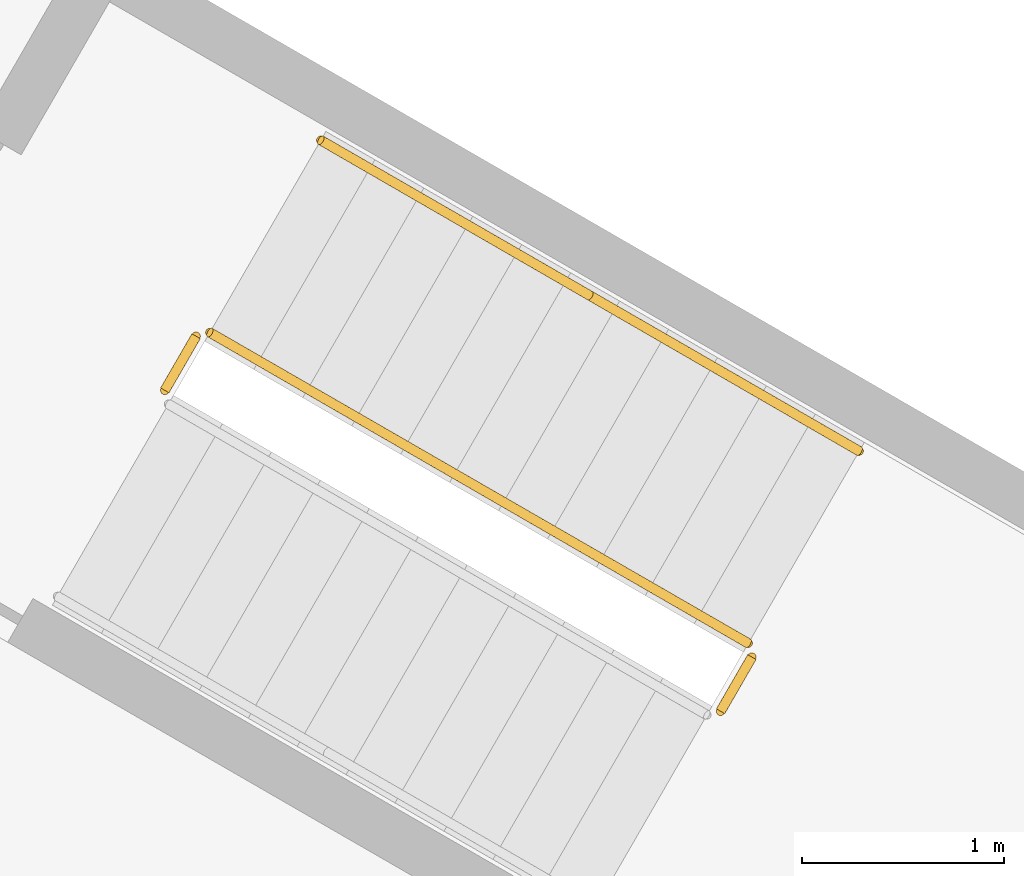
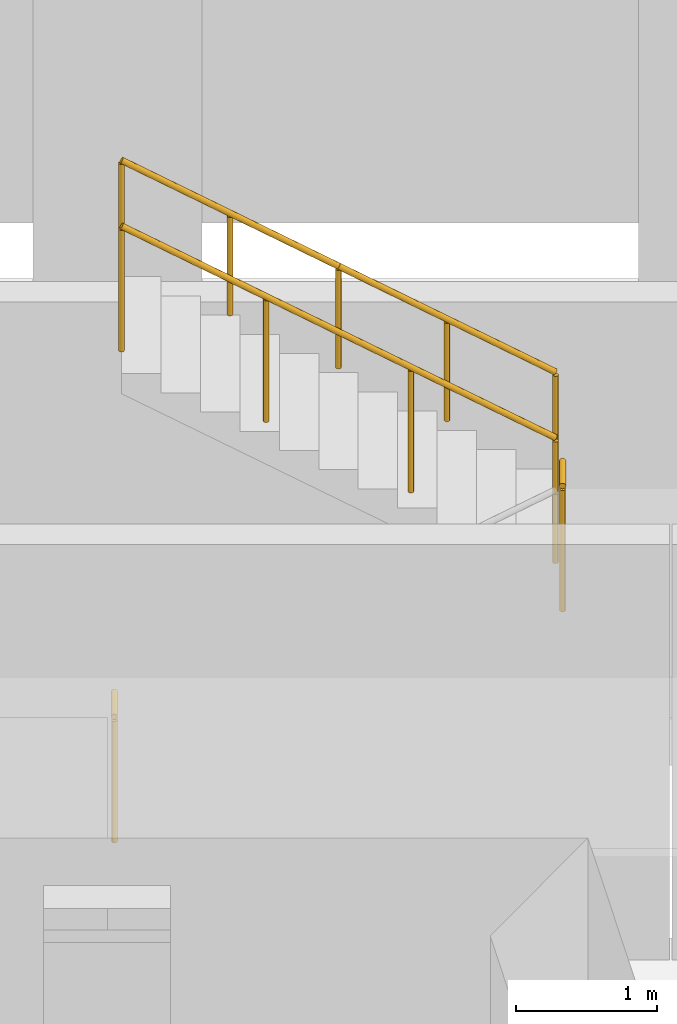
# One storey, part 27 of 27: 5 railings.
"""IFC4 building model written with IfcOpenShell, lengths in metres."""

from ifc_helpers import new_model, si_unit, direction, frame, origin, origin_2d, place, context, subcontext, project, spatial, circle, extrude, material, type_object, element, save


model = new_model("IFC4")

# Units and contexts
model_context = context("Model", 3, precision=1e-05, world=origin(), true_north=direction((0.0, 1.0)))
body_context = subcontext(model_context, "Body", "Model", "MODEL_VIEW")
ifc_project = project(units=[si_unit("LENGTHUNIT", "METRE"), si_unit("AREAUNIT", "SQUARE_METRE"), si_unit("VOLUMEUNIT", "CUBIC_METRE"), si_unit("PLANEANGLEUNIT", "RADIAN"), si_unit("MASSUNIT", "GRAM", prefix="KILO")], contexts=[model_context])

# Site, building, storey
site_placement = place(None, origin())
site = spatial("IfcSite", under=ifc_project, at=site_placement, CompositionType="ELEMENT")
building_placement = place(site_placement, origin())
building = spatial("IfcBuilding", under=site, at=building_placement, Name="Ayvan Gate Tower", CompositionType="ELEMENT")
storey_placement = place(building_placement, frame((0.0, 0.0, 70.300048828125)))
storey = spatial("IfcBuildingStorey", under=building, at=storey_placement, Name="L18", CompositionType="ELEMENT", Elevation=70.300048828125)

# Railings
ifc_material = material(Name="Stainless steel balustrade", Category="steel")
railing_type_1 = type_object("IfcRailingType", Name="RL-GUARD-1100", PredefinedType="GUARDRAIL", material=ifc_material)
railing_1_placement = place(storey_placement, frame((11.11669921875, 8.644775390625, 2.0)))
element("IfcRailing", 1, at=railing_1_placement, inside=storey, type_object=railing_type_1, Name="L18 STS1 stair guard 2", PredefinedType="GUARDRAIL", context=body_context, shape_type="SweptSolid", body=[
    extrude(circle(Radius=0.02392578125, at=origin_2d()), frame((0.0, 0.0, 1.076171875), z_axis=(0.499949632511, 0.866054481515, 0.0), x_axis=(-0.866054481515, 0.499949632511, 0.0)), (0.0, 0.0, 1.0), 0.31005859375),
    extrude(circle(Radius=0.02099609375, at=origin_2d()), origin(), (0.0, 0.0, 1.0), 1.052001953125),
    extrude(circle(Radius=0.02099609375, at=origin_2d()), frame((0.155029296875, 0.2685546875, 0.0)), (0.0, 0.0, 1.0), 1.052001953125),
])
railing_2_placement = place(storey_placement, frame((11.25341796875, 8.981689453125, 2.16650390625)))
element("IfcRailing", 2, at=railing_2_placement, inside=storey, type_object=railing_type_1, Name="L18 STS1 stair guard 3", PredefinedType="GUARDRAIL", context=body_context, shape_type="SweptSolid", body=[
    extrude(circle(Radius=0.02392578125, at=origin_2d()), frame((0.0, 0.0, 1.076171875), z_axis=(-0.744155296881, 0.429600682602, 0.511542908886), x_axis=(-0.499967199496, -0.866044340336, 0.0)), (0.0, 0.0, 1.0), 3.584228515625),
    extrude(circle(Radius=0.02099609375, at=origin_2d()), origin(), (0.0, 0.0, 1.0), 1.052001953125),
    extrude(circle(Radius=0.02099609375, at=origin_2d()), frame((-0.88916015625, 0.51318359375, 0.611083984375)), (0.0, 0.0, 1.0), 1.052001953125),
    extrude(circle(Radius=0.02099609375, at=origin_2d()), frame((-1.778076171875, 1.026611328125, 1.222412109375)), (0.0, 0.0, 1.0), 1.052001953125),
    extrude(circle(Radius=0.02099609375, at=origin_2d()), frame((-2.667236328125, 1.539794921875, 1.83349609375)), (0.0, 0.0, 1.0), 1.052001953125),
])
railing_3_placement = place(storey_placement, frame((8.36279296875, 10.23486328125, 0.0)))
element("IfcRailing", 3, at=railing_3_placement, inside=storey, type_object=railing_type_1, Name="L18 STS1 stair guard 4", PredefinedType="GUARDRAIL", context=body_context, shape_type="SweptSolid", body=[
    extrude(circle(Radius=0.02392578125, at=origin_2d()), frame((0.0, 0.0, 1.076171875), z_axis=(0.500290723946, 0.86585748916, 0.0), x_axis=(-0.86585748916, 0.500290723946, 0.0)), (0.0, 0.0, 1.0), 0.309814453125),
    extrude(circle(Radius=0.02099609375, at=origin_2d()), origin(), (0.0, 0.0, 1.0), 1.052001953125),
    extrude(circle(Radius=0.02099609375, at=origin_2d()), frame((0.155029296875, 0.268310546875, 0.0)), (0.0, 0.0, 1.0), 1.052001953125),
])
railing_type_2 = type_object("IfcRailingType", Name="RL-HANDRAIL-900", PredefinedType="HANDRAIL", material=ifc_material)
for number, where, name in (
    (4, (11.803466796875, 9.93408203125, 2.16650390625), "L18 STS1 stair handrail 3"),
    (5, (10.4697265625, 10.7041015625, 3.083251953125), "L18 STS1 stair handrail 4"),
):
    element("IfcRailing", number, at=place(storey_placement, frame(where)), inside=storey, type_object=railing_type_2, Name=name, PredefinedType="HANDRAIL", context=body_context, shape_type="SweptSolid", body=[
        extrude(circle(Radius=0.02392578125, at=origin_2d()), frame((0.0, 0.0, 0.8759765625), z_axis=(-0.7441639146, 0.429634447492, 0.511502013422), x_axis=(-0.499992328818, -0.866029832698, 0.0)), (0.0, 0.0, 1.0), 1.792236328125),
        extrude(circle(Radius=0.02099609375, at=origin_2d()), origin(), (0.0, 0.0, 1.0), 0.851806640625),
        extrude(circle(Radius=0.02099609375, at=origin_2d()), frame((-0.6669921875, 0.385009765625, 0.45849609375)), (0.0, 0.0, 1.0), 0.851806640625),
        extrude(circle(Radius=0.02099609375, at=origin_2d()), frame((-1.333740234375, 0.77001953125, 0.916748046875)), (0.0, 0.0, 1.0), 0.851806640625),
    ])

save(model, "model.ifc")
